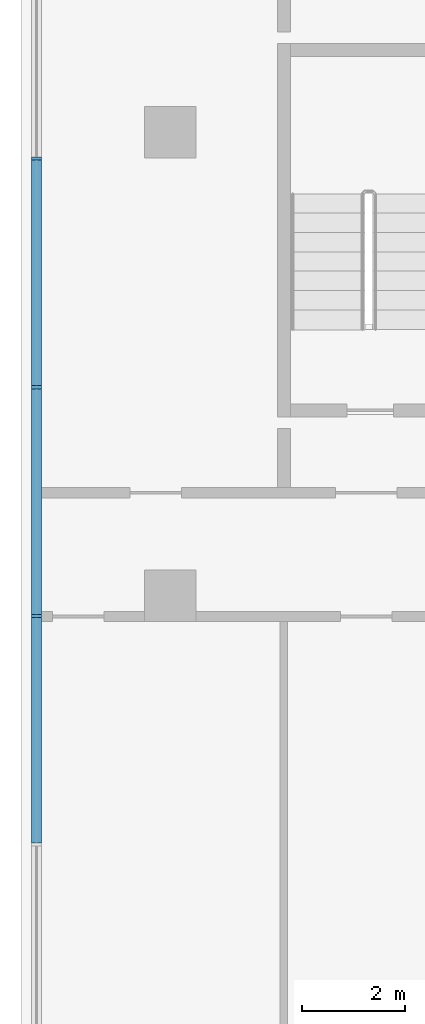
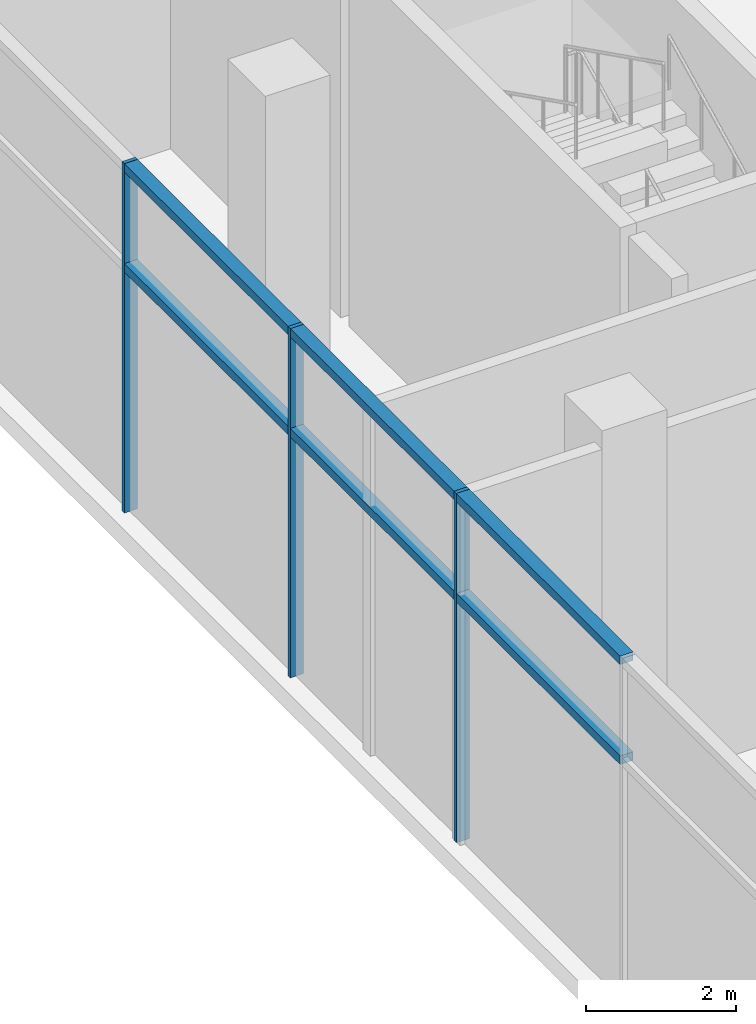
# One storey, part 3 of 21: 9 members, 1 element without a shape of its own.
"""IFC4 building model written with IfcOpenShell, lengths in metres."""

import ifcopenshell
import ifcopenshell.guid

model = None  # the IFC model being written
_history = None  # IfcOwnerHistory: only IFC2X3 demands one
_inside = {}  # id of a spatial element -> (the spatial element, [elements in it])
_under = {}  # id of a project, library or spatial element -> (it, [spatial elements below it])
_declared = {}  # id of a project -> (the project, [libraries it declares])
_typed = {}  # id of a type object -> (the type object, [elements of that type])
_made_of = {}  # id of a material, layer set ... -> (it, [elements and type objects made of it])


def new_model(schema):
    """Start an empty IFC model of exactly this schema.

    Asked for "IFC4X3", IfcOpenShell would pick the latest addendum, in which some entities
    have other attributes; the version numbers below select the first issue.
    IFC2X3 requires an IfcOwnerHistory on every rooted entity: one is made here for all.
    """
    global model, _history
    if schema == "IFC4X3":
        model = ifcopenshell.file(schema_version=(4, 3, 0, 0))
    else:
        model = ifcopenshell.file(schema=schema)
    _inside.clear()
    _under.clear()
    _declared.clear()
    _typed.clear()
    _made_of.clear()
    _history = None
    if model.schema == "IFC2X3":
        org = make("IfcOrganization", Name="unknown")
        user = make(
            "IfcPersonAndOrganization",
            ThePerson=make("IfcPerson", FamilyName="unknown"),
            TheOrganization=org,
        )
        app = make(
            "IfcApplication",
            ApplicationDeveloper=org,
            Version="unknown",
            ApplicationFullName="unknown",
            ApplicationIdentifier="unknown",
        )
        _history = make(
            "IfcOwnerHistory",
            OwningUser=user,
            OwningApplication=app,
            ChangeAction="ADDED",
            CreationDate=0,
        )
    return model


def make(cls, **values):
    """One entity of the class cls with the attributes given. An attribute that is None is left unset."""
    return model.create_entity(
        cls, **{name: value for name, value in values.items() if value is not None}
    )


def rooted(cls, **values):
    """An entity with a GlobalId (a new one), such as an element, a storey or a relation."""
    return make(cls, GlobalId=ifcopenshell.guid.new(), OwnerHistory=_history, **values)


def si_unit(unit_type, name, prefix=None):
    """IfcSIUnit, for example si_unit("LENGTHUNIT", "METRE", prefix="MILLI")."""
    return make("IfcSIUnit", UnitType=unit_type, Prefix=prefix, Name=name)


def assignment(units):
    """IfcUnitAssignment: the units of a project."""
    return None if units is None else make("IfcUnitAssignment", Units=units)


def point(xyz):
    """IfcCartesianPoint."""
    return None if xyz is None else make("IfcCartesianPoint", Coordinates=xyz)


def direction(xyz):
    """IfcDirection."""
    return None if xyz is None else make("IfcDirection", DirectionRatios=xyz)


def frame(location, z_axis=None, x_axis=None):
    """IfcAxis2Placement3D, a coordinate frame: its origin and axes. An axis left out is left unset."""
    return make(
        "IfcAxis2Placement3D",
        Location=point(location),
        Axis=direction(z_axis),
        RefDirection=direction(x_axis),
    )


def frame_2d(location, x_axis=None):
    """IfcAxis2Placement2D, a coordinate frame in the plane: its origin and x axis."""
    return make(
        "IfcAxis2Placement2D", Location=point(location), RefDirection=direction(x_axis)
    )


def origin():
    """The frame at (0, 0, 0) with its axes left unset."""
    return frame((0.0, 0.0, 0.0))


def origin_2d():
    """The frame at (0, 0) in the plane with its x axis left unset."""
    return frame_2d((0.0, 0.0))


def place(relative_to, where):
    """IfcLocalPlacement: puts the frame where relative to a parent placement (None: the world)."""
    return make(
        "IfcLocalPlacement", PlacementRelTo=relative_to, RelativePlacement=where
    )


def context(
    kind, dimensions, precision=None, world=None, true_north=None, identifier=None
):
    """IfcGeometricRepresentationContext, for example the 3D "Model" context."""
    return make(
        "IfcGeometricRepresentationContext",
        ContextIdentifier=identifier,
        ContextType=kind,
        CoordinateSpaceDimension=dimensions,
        Precision=precision,
        WorldCoordinateSystem=world,
        TrueNorth=true_north,
    )


def subcontext(parent, identifier, kind, view, scale=None):
    """IfcGeometricRepresentationSubContext, for example "Body" below "Model"."""
    return make(
        "IfcGeometricRepresentationSubContext",
        ContextIdentifier=identifier,
        ContextType=kind,
        ParentContext=parent,
        TargetScale=scale,
        TargetView=view,
    )


def project(units=None, contexts=None):
    """IfcProject with its units and contexts."""
    return rooted(
        "IfcProject",
        Name="project",
        RepresentationContexts=contexts,
        UnitsInContext=assignment(units),
    )


def spatial(cls, under=None, at=None, **own):
    """A site, building, storey or space (cls), placed at a placement, below another one or the project."""
    s = rooted(cls, ObjectPlacement=at, **own)
    if under is not None:
        _under.setdefault(under.id(), (under, []))[1].append(s)
    return s


def profile(cls, at=None, kind="AREA", **sizes):
    """A parametric profile (cls). Its sizes go by their IFC names, for example OverallWidth=200.0."""
    return make(cls, ProfileType=kind, Position=at, **sizes)


def rectangle(**sizes):
    """IfcRectangleProfileDef."""
    return profile("IfcRectangleProfileDef", **sizes)


def extrude(swept, where, along, depth):
    """IfcExtrudedAreaSolid: the profile swept, set in the frame where, extruded along a direction by depth."""
    return make(
        "IfcExtrudedAreaSolid",
        SweptArea=swept,
        Position=where,
        ExtrudedDirection=direction(along),
        Depth=depth,
    )


def shape(context_of_items, identifier, shape_type, items):
    """IfcShapeRepresentation: the items that make up one representation, for example the "Body"."""
    return make(
        "IfcShapeRepresentation",
        ContextOfItems=context_of_items,
        RepresentationIdentifier=identifier,
        RepresentationType=shape_type,
        Items=items,
    )


def material(Name=None, Category=None):
    """IfcMaterial."""
    return make("IfcMaterial", Name=Name, Category=Category)


def material_profile(
    of_material, cross_section, Name=None, Category=None, Priority=None
):
    """IfcMaterialProfile: a cross section and its material."""
    return make(
        "IfcMaterialProfile",
        Name=Name,
        Material=of_material,
        Profile=cross_section,
        Priority=Priority,
        Category=Category,
    )


def profile_set(profiles, Name=None, composite=None):
    """IfcMaterialProfileSet."""
    return make(
        "IfcMaterialProfileSet",
        Name=Name,
        MaterialProfiles=profiles,
        CompositeProfile=composite,
    )


def made_of(thing, what):
    """Note that an element or type object is made of a material, layer set ...; save() writes the relation."""
    if what is not None:
        _made_of.setdefault(what.id(), (what, []))[1].append(thing)
    return thing


def type_object(cls, material=None, **own):
    """A type object (cls), such as IfcWallType, which elements share."""
    return made_of(rooted(cls, **own), material)


def element(
    cls,
    number,
    at=None,
    inside=None,
    cuts=None,
    type_object=None,
    material=None,
    context=None,
    identifier="Body",
    shape_type=None,
    held_by="IfcProductDefinitionShape",
    body=None,
    shapes=None,
    **own,
):
    """One element of the class cls, such as IfcWall. Its Tag is "e" and its number.

    at: its placement. inside: the storey or other place that contains it. cuts: it is an
    opening in that element (IfcRelVoidsElement). A single representation is given by context,
    identifier, shape_type and body (its items); several are given by shapes. held_by: the class
    of the entity that holds the representations. save() writes the other relations.
    """
    e = rooted(cls, Tag="e%d" % number, ObjectPlacement=at, **own)
    if body is not None:
        shapes = [shape(context, identifier, shape_type, body)]
    if shapes is not None:
        e.Representation = make(held_by, Representations=shapes)
    if inside is not None:
        _inside.setdefault(inside.id(), (inside, []))[1].append(e)
    if cuts is not None:
        rooted(
            "IfcRelVoidsElement", RelatingBuildingElement=cuts, RelatedOpeningElement=e
        )
    if type_object is not None:
        _typed.setdefault(type_object.id(), (type_object, []))[1].append(e)
    return made_of(e, material)


def aggregate(whole, parts):
    """IfcRelAggregates: a whole, such as a stair, and the parts it consists of."""
    return rooted("IfcRelAggregates", RelatingObject=whole, RelatedObjects=parts)


def save(model, path):
    """Write the relations noted so far, then the file.

    IfcRelAggregates (storeys below a building ...), IfcRelContainedInSpatialStructure (elements
    in a storey), IfcRelDefinesByType, IfcRelAssociatesMaterial and IfcRelDeclares: one each for
    every whole, place, type object, material and project.
    """
    for whole, parts in _under.values():
        aggregate(whole, parts)
    for where, things in _inside.values():
        rooted(
            "IfcRelContainedInSpatialStructure",
            RelatedElements=things,
            RelatingStructure=where,
        )
    for kind, things in _typed.values():
        rooted("IfcRelDefinesByType", RelatedObjects=things, RelatingType=kind)
    for what, things in _made_of.values():
        rooted("IfcRelAssociatesMaterial", RelatedObjects=things, RelatingMaterial=what)
    for by, libraries in _declared.values():
        rooted("IfcRelDeclares", RelatingContext=by, RelatedDefinitions=libraries)
    model.write(path)


model = new_model("IFC4")

# Units and contexts
model_context = context("Model", 3, precision=1e-05, world=origin(), true_north=direction((0.0, 1.0)))
body_context = subcontext(model_context, "Body", "Model", "MODEL_VIEW")
ifc_project = project(units=[si_unit("LENGTHUNIT", "METRE"), si_unit("AREAUNIT", "SQUARE_METRE"), si_unit("VOLUMEUNIT", "CUBIC_METRE"), si_unit("PLANEANGLEUNIT", "RADIAN"), si_unit("MASSUNIT", "GRAM", prefix="KILO")], contexts=[model_context])

# Site, building, storey
site_placement = place(None, origin())
site = spatial("IfcSite", under=ifc_project, at=site_placement, CompositionType="ELEMENT")
building_placement = place(site_placement, origin())
building = spatial("IfcBuilding", under=site, at=building_placement, Name="Bicima Exchange Tower", CompositionType="ELEMENT")
storey_placement = place(building_placement, frame((0.0, 0.0, 8.0)))
storey = spatial("IfcBuildingStorey", under=building, at=storey_placement, Name="L01", CompositionType="ELEMENT", Elevation=8.0)

# Curtain wall, members
ifc_material = material(Name="Anodised bronze aluminium", Category="aluminium")
curtain_wall_type = type_object("IfcCurtainWallType", Name="Lobby glazing", PredefinedType="NOTDEFINED", material=ifc_material)
curtain_wall_placement = place(storey_placement, origin())
curtain_wall = element("IfcCurtainWall", 1, at=curtain_wall_placement, inside=storey, type_object=curtain_wall_type, Name="Podium glazing L01 west 1", PredefinedType="NOTDEFINED")
ifc_material_profile_1 = material_profile(ifc_material, rectangle(XDim=0.199951171875, YDim=0.06005859375, at=origin_2d()))
ifc_profile_set_1 = profile_set([ifc_material_profile_1], Name="Anodised bronze aluminium")
member_type_1 = type_object("IfcMemberType", Name="Lobby glazing mullion 60 x 200", PredefinedType="MULLION", material=ifc_profile_set_1)
member_1_placement = place(storey_placement, frame((-46.10009765625, -22.51318359375, 0.0), z_axis=(0.0, 0.0, 1.0), x_axis=(1.0, 0.0, 0.0)))
member_1 = element("IfcMember", 2, at=member_1_placement, type_object=member_type_1, Name="Lobby glazing mullion 6", PredefinedType="MULLION", context=body_context, shape_type="SweptSolid", body=[
    extrude(rectangle(XDim=0.199951171875, YDim=0.06005859375, at=origin_2d()), origin(), (0.0, 0.0, 1.0), 5.699951171875),
])
member_2_placement = place(storey_placement, frame((-46.10009765625, -26.949951171875, 0.0), z_axis=(0.0, 0.0, 1.0), x_axis=(1.0, 0.0, 0.0)))
member_2 = element("IfcMember", 3, at=member_2_placement, type_object=member_type_1, Name="Lobby glazing mullion 7", PredefinedType="MULLION", context=body_context, shape_type="SweptSolid", body=[
    extrude(rectangle(XDim=0.199951171875, YDim=0.06005859375, at=origin_2d()), origin(), (0.0, 0.0, 1.0), 5.699951171875),
])
member_3_placement = place(storey_placement, frame((-46.10009765625, -31.38671875, 0.0), z_axis=(0.0, 0.0, 1.0), x_axis=(1.0, 0.0, 0.0)))
member_3 = element("IfcMember", 4, at=member_3_placement, type_object=member_type_1, Name="Lobby glazing mullion 8", PredefinedType="MULLION", context=body_context, shape_type="SweptSolid", body=[
    extrude(rectangle(XDim=0.199951171875, YDim=0.06005859375, at=origin_2d()), origin(), (0.0, 0.0, 1.0), 5.699951171875),
])
ifc_material_profile_2 = material_profile(ifc_material, rectangle(XDim=0.199951171875, YDim=0.139892578125, at=origin_2d()))
ifc_profile_set_2 = profile_set([ifc_material_profile_2], Name="Anodised bronze aluminium")
member_type_2 = type_object("IfcMemberType", Name="Lobby glazing transom 140 x 200", PredefinedType="USERDEFINED", material=ifc_profile_set_2)
member_4_placement = place(storey_placement, frame((-46.10009765625, -22.543212890625, 4.0), z_axis=(0.0, -1.0, 0.0), x_axis=(1.0, 0.0, 0.0)))
member_4 = element("IfcMember", 5, at=member_4_placement, type_object=member_type_2, Name="Lobby glazing transom 6.1", ObjectType="TRANSOM", PredefinedType="USERDEFINED", context=body_context, shape_type="SweptSolid", body=[
    extrude(rectangle(XDim=0.199951171875, YDim=0.139892578125, at=origin_2d()), origin(), (0.0, 0.0, 1.0), 4.376708984375),
])
member_5_placement = place(storey_placement, frame((-46.10009765625, -22.543212890625, 5.6298828125), z_axis=(0.0, -1.0, 0.0), x_axis=(1.0, 0.0, 0.0)))
member_5 = element("IfcMember", 6, at=member_5_placement, type_object=member_type_2, Name="Lobby glazing transom 6.2", ObjectType="TRANSOM", PredefinedType="USERDEFINED", context=body_context, shape_type="SweptSolid", body=[
    extrude(rectangle(XDim=0.199951171875, YDim=0.139892578125, at=origin_2d()), origin(), (0.0, 0.0, 1.0), 4.376708984375),
])
member_6_placement = place(storey_placement, frame((-46.10009765625, -26.97998046875, 4.0), z_axis=(0.0, -1.0, 0.0), x_axis=(1.0, 0.0, 0.0)))
member_6 = element("IfcMember", 7, at=member_6_placement, type_object=member_type_2, Name="Lobby glazing transom 7.1", ObjectType="TRANSOM", PredefinedType="USERDEFINED", context=body_context, shape_type="SweptSolid", body=[
    extrude(rectangle(XDim=0.199951171875, YDim=0.139892578125, at=origin_2d()), origin(), (0.0, 0.0, 1.0), 4.376708984375),
])
member_7_placement = place(storey_placement, frame((-46.10009765625, -26.97998046875, 5.6298828125), z_axis=(0.0, -1.0, 0.0), x_axis=(1.0, 0.0, 0.0)))
member_7 = element("IfcMember", 8, at=member_7_placement, type_object=member_type_2, Name="Lobby glazing transom 7.2", ObjectType="TRANSOM", PredefinedType="USERDEFINED", context=body_context, shape_type="SweptSolid", body=[
    extrude(rectangle(XDim=0.199951171875, YDim=0.139892578125, at=origin_2d()), origin(), (0.0, 0.0, 1.0), 4.376708984375),
])
member_8_placement = place(storey_placement, frame((-46.10009765625, -31.416748046875, 4.0), z_axis=(0.0, -1.0, 0.0), x_axis=(1.0, 0.0, 0.0)))
member_8 = element("IfcMember", 9, at=member_8_placement, type_object=member_type_2, Name="Lobby glazing transom 8.1", ObjectType="TRANSOM", PredefinedType="USERDEFINED", context=body_context, shape_type="SweptSolid", body=[
    extrude(rectangle(XDim=0.199951171875, YDim=0.139892578125, at=origin_2d()), origin(), (0.0, 0.0, 1.0), 4.37646484375),
])
member_9_placement = place(storey_placement, frame((-46.10009765625, -31.416748046875, 5.6298828125), z_axis=(0.0, -1.0, 0.0), x_axis=(1.0, 0.0, 0.0)))
member_9 = element("IfcMember", 10, at=member_9_placement, type_object=member_type_2, Name="Lobby glazing transom 8.2", ObjectType="TRANSOM", PredefinedType="USERDEFINED", context=body_context, shape_type="SweptSolid", body=[
    extrude(rectangle(XDim=0.199951171875, YDim=0.139892578125, at=origin_2d()), origin(), (0.0, 0.0, 1.0), 4.37646484375),
])
aggregate(curtain_wall, [member_1, member_2, member_3, member_4, member_5, member_6, member_7, member_8, member_9])

save(model, "model.ifc")
